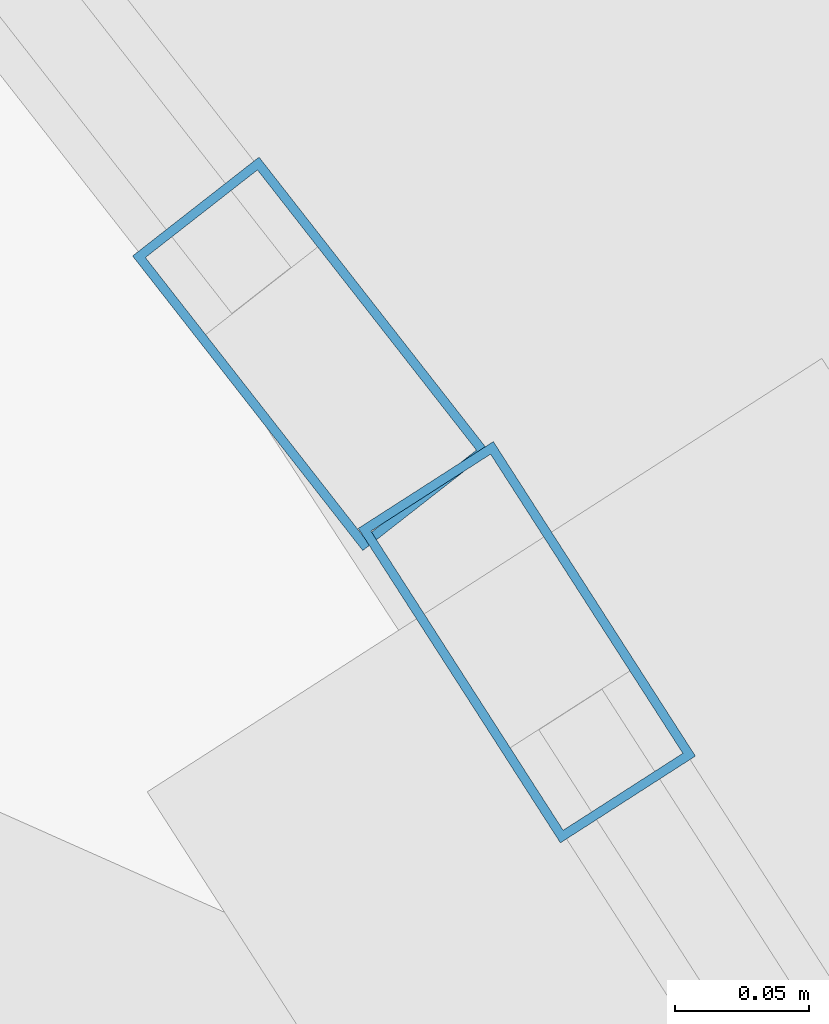
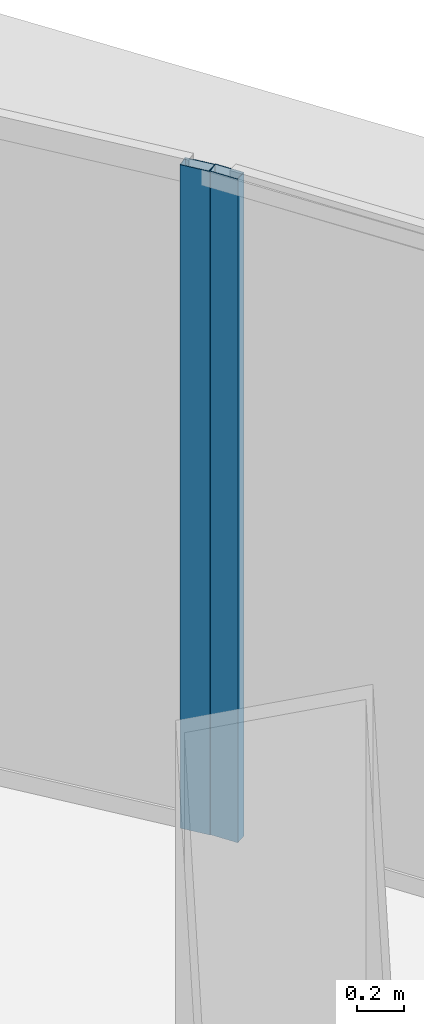
# One storey, part 25 of 36: 2 members, 2 elements without a shape of their own.
"""IFC4 building model written with IfcOpenShell, lengths in metres."""

from ifc_helpers import new_model, si_unit, direction, frame, origin, origin_2d, place, context, subcontext, project, spatial, hollow_rectangle, extrude, source, transform, mapped, material, layer, layer_set, material_profile, profile_set, type_object, element, aggregate, save


model = new_model("IFC4")

# Units and contexts
model_context = context("Model", 3, precision=1e-05, world=origin(), true_north=direction((0.0, 1.0)))
body_context = subcontext(model_context, "Body", "Model", "MODEL_VIEW")
ifc_project = project(units=[si_unit("LENGTHUNIT", "METRE"), si_unit("AREAUNIT", "SQUARE_METRE"), si_unit("VOLUMEUNIT", "CUBIC_METRE"), si_unit("PLANEANGLEUNIT", "RADIAN"), si_unit("MASSUNIT", "GRAM", prefix="KILO"), si_unit("THERMODYNAMICTEMPERATUREUNIT", "KELVIN"), si_unit("POWERUNIT", "WATT")], contexts=[model_context])

# Site, building, storey
site_placement = place(None, origin())
site = spatial("IfcSite", under=ifc_project, at=site_placement, CompositionType="ELEMENT")
building_placement = place(site_placement, origin())
building = spatial("IfcBuilding", under=site, at=building_placement, Name="Yunzhuo Pagoda Commons", CompositionType="ELEMENT")
storey_placement = place(building_placement, frame((0.0, 0.0, 248.260009765625)))
storey = spatial("IfcBuildingStorey", under=building, at=storey_placement, Name="L62", CompositionType="ELEMENT", Elevation=248.260009765625)

# Curtain wall, member
ifc_material = material(Name="Anodized aluminium 6063-T6", Category="aluminium")
ifc_layer = layer(ifc_material, 0.139892578125)
ifc_layer_set = layer_set([ifc_layer], Name="Anodized aluminium 6063-T6")
curtain_wall_type = type_object("IfcCurtainWallType", Name="CW-HI High-Zone Ribbon Curtain Wall", PredefinedType="NOTDEFINED", material=ifc_layer_set)
curtain_wall_1_placement = place(storey_placement, origin())
curtain_wall_1 = element("IfcCurtainWall", 1, at=curtain_wall_1_placement, inside=storey, type_object=curtain_wall_type, Name="L62 curtain wall CW-L62-F2B4", PredefinedType="NOTDEFINED")
ifc_material_profile = material_profile(ifc_material, hollow_rectangle(XDim=0.06005859375, YDim=0.139892578125, WallThickness=0.00341796875, at=origin_2d()), Name="Anodized aluminium 6063-T6")
ifc_profile_set = profile_set([ifc_material_profile], Name="Anodized aluminium 6063-T6")
member_type = type_object("IfcMemberType", Name="CW-HI-M Mullion RHS 140x60x3.5", PredefinedType="MULLION", material=ifc_profile_set)
shared_shape = source(origin(), body_context, "Body", "SweptSolid", [
    extrude(hollow_rectangle(XDim=0.06005859375, YDim=0.139892578125, WallThickness=0.00341796875, at=origin_2d()), origin(), (0.0, 0.0, 1.0), 3.47021484375),
])
member_1_placement = place(storey_placement, frame((62.49609375, 66.197265625, 0.0), z_axis=(0.0, 0.0, 1.0), x_axis=(-0.841269037614, -0.540616690782, 0.0)))
member_1 = element("IfcMember", 2, at=member_1_placement, type_object=member_type, Name="CW mullion 2", PredefinedType="MULLION", context=body_context, shape_type="MappedRepresentation", body=[
    mapped(shared_shape, transform((0.0, 0.0, 0.0), scale=1.0)),
])
aggregate(curtain_wall_1, [member_1])

curtain_wall_2_placement = place(storey_placement, origin())
curtain_wall_2 = element("IfcCurtainWall", 3, at=curtain_wall_2_placement, inside=storey, type_object=curtain_wall_type, Name="L62 curtain wall CW-L62-F2B5", PredefinedType="NOTDEFINED")
member_2_placement = place(storey_placement, frame((62.415283203125, 66.30517578125, 0.0), z_axis=(0.0, 0.0, 1.0), x_axis=(-0.787911077131, -0.615789034114, 0.0)))
member_2 = element("IfcMember", 4, at=member_2_placement, type_object=member_type, Name="CW mullion 1", PredefinedType="MULLION", context=body_context, shape_type="MappedRepresentation", body=[
    mapped(shared_shape, transform((0.0, 0.0, 0.0), scale=1.0)),
])
aggregate(curtain_wall_2, [member_2])

save(model, "model.ifc")
